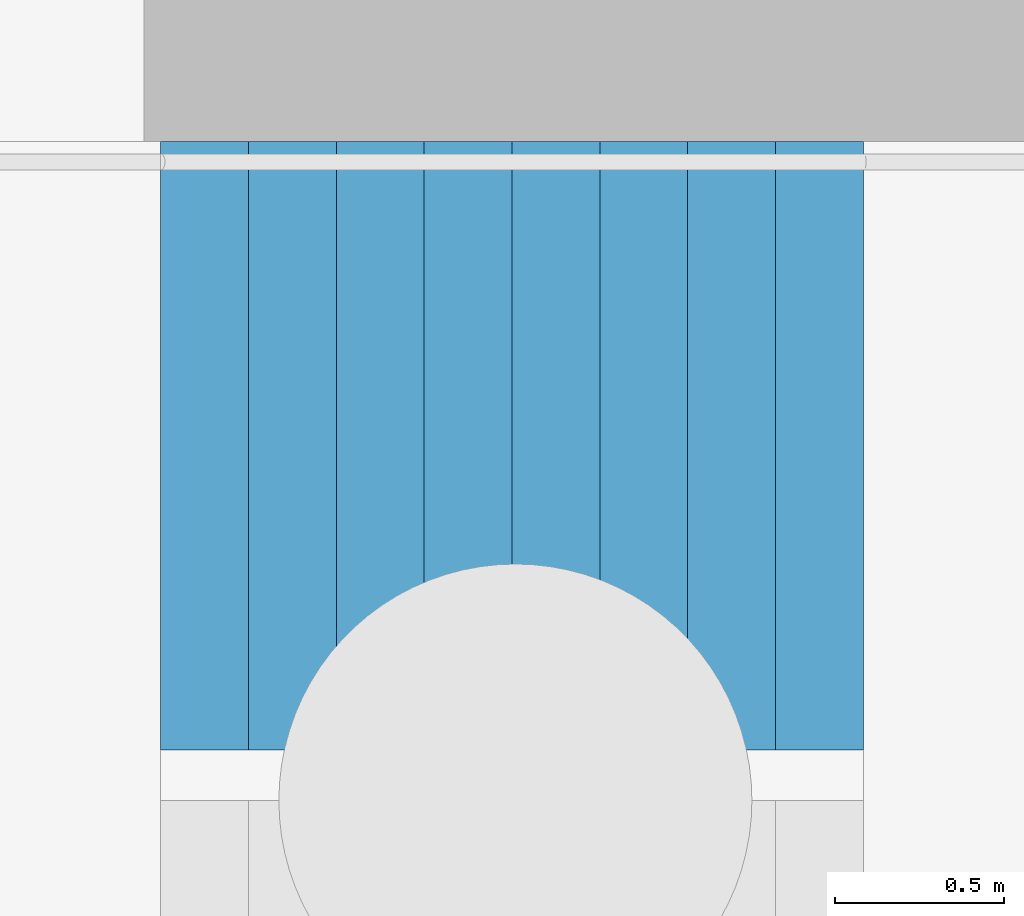
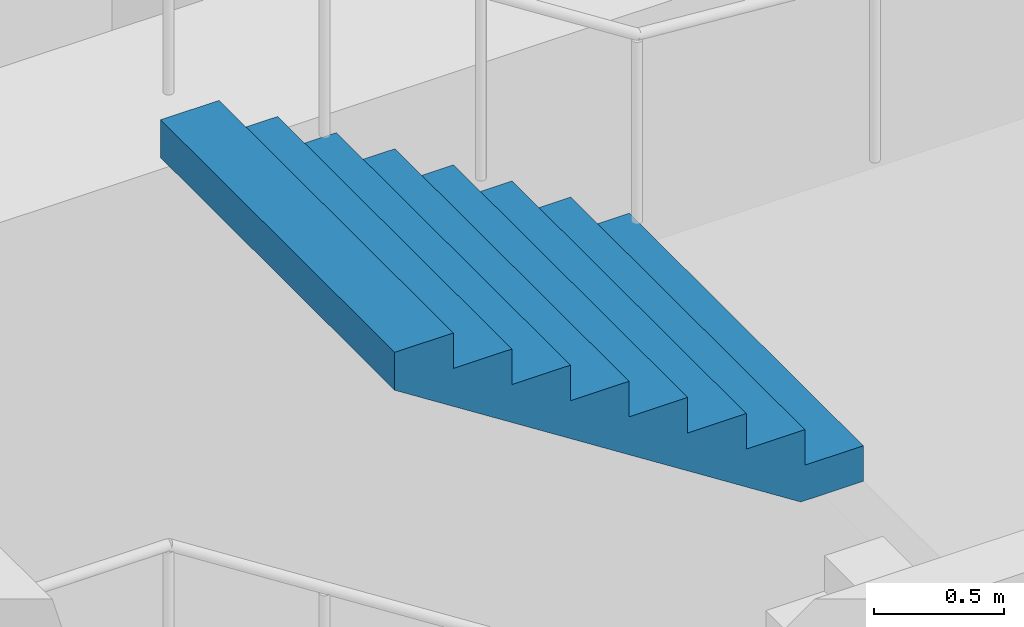
# One storey, part 63 of 113: 1 stair flight, 1 element without a shape of its own.
"""IFC4 building model written with IfcOpenShell, lengths in metres."""

from ifc_helpers import new_model, si_unit, direction, frame, origin, place, context, subcontext, project, spatial, triangles, material, type_object, element, aggregate, save


model = new_model("IFC4")

# Units and contexts
model_context = context("Model", 3, precision=1e-05, world=origin(), true_north=direction((0.0, 1.0)))
body_context = subcontext(model_context, "Body", "Model", "MODEL_VIEW")
ifc_project = project(units=[si_unit("LENGTHUNIT", "METRE"), si_unit("AREAUNIT", "SQUARE_METRE"), si_unit("VOLUMEUNIT", "CUBIC_METRE"), si_unit("PLANEANGLEUNIT", "RADIAN"), si_unit("MASSUNIT", "GRAM", prefix="KILO")], contexts=[model_context])

# Site, building, storey
site_placement = place(None, origin())
site = spatial("IfcSite", under=ifc_project, at=site_placement, CompositionType="ELEMENT")
building_placement = place(site_placement, origin())
building = spatial("IfcBuilding", under=site, at=building_placement, Name="Hakoniwa Tower and Hamabe Station Hall", CompositionType="ELEMENT")
storey_placement = place(building_placement, origin())
storey = spatial("IfcBuildingStorey", under=building, at=storey_placement, Name="L01", CompositionType="ELEMENT", Elevation=0.0)

# Stair, stair flight
ifc_material_1 = material(Name="Concrete C40", Category="concrete")
stair_type = type_object("IfcStairType", Name="ESCAPE STAIR 1800", PredefinedType="HALF_TURN_STAIR", material=ifc_material_1)
stair_placement = place(storey_placement, origin())
stair = element("IfcStair", 1, at=stair_placement, inside=storey, type_object=stair_type, Name="Escape stair ST-1 L01", PredefinedType="HALF_TURN_STAIR")
ifc_material_2 = material(Name="Concrete C40", Category="concrete")
stair_flight_type = type_object("IfcStairFlightType", Name="STAIR FLIGHT 1800", PredefinedType="STRAIGHT", material=ifc_material_2)
stair_flight_placement = place(storey_placement, frame((-22.320068359375, 6.60009765625, 7.5), z_axis=(0.0, 0.0, 1.0), x_axis=(-1.0, 0.0, 0.0)))
stair_flight = element("IfcStairFlight", 2, at=stair_flight_placement, type_object=stair_flight_type, Name="ST-1 flight 6", NumberOfRisers=9, NumberOfTreads=8, PredefinedType="STRAIGHT", RiserHeight=0.166666667, TreadLength=0.26, context=body_context, shape_type="Tessellation", body=[
    triangles([(0.0, 0.89990234375, 0.0), (0.260009765625, 0.89990234375, 0.0), (0.27783203125, 0.89990234375, 0.0), (0.52001953125, 0.89990234375, 0.1552734375), (0.780029296875, 0.89990234375, 0.322021484375), (1.0400390625, 0.89990234375, 0.488525390625), (1.300048828125, 0.89990234375, 0.6552734375), (1.56005859375, 0.89990234375, 0.822021484375), (1.820068359375, 0.89990234375, 0.988525390625), (2.080078125, 0.89990234375, 1.1552734375), (2.080078125, 0.89990234375, 1.333251953125), (1.820068359375, 0.89990234375, 1.333251953125), (1.820068359375, 0.89990234375, 1.166748046875), (1.56005859375, 0.89990234375, 1.166748046875), (1.56005859375, 0.89990234375, 1.0), (1.300048828125, 0.89990234375, 1.0), (1.300048828125, 0.89990234375, 0.833251953125), (1.0400390625, 0.89990234375, 0.833251953125), (1.0400390625, 0.89990234375, 0.666748046875), (0.780029296875, 0.89990234375, 0.666748046875), (0.780029296875, 0.89990234375, 0.5), (0.52001953125, 0.89990234375, 0.5), (0.52001953125, 0.89990234375, 0.333251953125), (0.27783203125, 0.89990234375, 0.333251953125), (0.260009765625, 0.89990234375, 0.333251953125), (0.260009765625, 0.89990234375, 0.166748046875), (0.0, 0.89990234375, 0.166748046875), (0.0, 0.06005859375, 0.0), (0.260009765625, 0.06005859375, 0.0), (0.27783203125, 0.06005859375, 0.0), (0.52001953125, 0.06005859375, 0.1552734375), (0.780029296875, 0.06005859375, 0.322021484375), (1.0400390625, 0.06005859375, 0.488525390625), (1.300048828125, 0.06005859375, 0.6552734375), (1.56005859375, 0.06005859375, 0.822021484375), (1.820068359375, 0.06005859375, 0.988525390625), (2.080078125, 0.06005859375, 1.1552734375), (2.080078125, 0.06005859375, 1.333251953125), (1.820068359375, 0.06005859375, 1.333251953125), (1.820068359375, 0.06005859375, 1.166748046875), (1.56005859375, 0.06005859375, 1.166748046875), (1.56005859375, 0.06005859375, 1.0), (1.300048828125, 0.06005859375, 1.0), (1.300048828125, 0.06005859375, 0.833251953125), (1.0400390625, 0.06005859375, 0.833251953125), (1.0400390625, 0.06005859375, 0.666748046875), (0.780029296875, 0.06005859375, 0.666748046875), (0.780029296875, 0.06005859375, 0.5), (0.52001953125, 0.06005859375, 0.5), (0.52001953125, 0.06005859375, 0.333251953125), (0.27783203125, 0.06005859375, 0.333251953125), (0.260009765625, 0.06005859375, 0.333251953125), (0.260009765625, 0.06005859375, 0.166748046875), (0.0, 0.06005859375, 0.166748046875), (0.0, 0.04296875, 0.0), (0.260009765625, 0.04296875, 0.0), (0.27783203125, 0.04296875, 0.0), (0.52001953125, 0.04296875, 0.1552734375), (0.780029296875, 0.04296875, 0.322021484375), (1.0400390625, 0.04296875, 0.488525390625), (1.300048828125, 0.04296875, 0.6552734375), (1.56005859375, 0.04296875, 0.822021484375), (1.820068359375, 0.04296875, 0.988525390625), (2.080078125, 0.04296875, 1.1552734375), (2.080078125, 0.04296875, 1.333251953125), (1.820068359375, 0.04296875, 1.333251953125), (1.820068359375, 0.04296875, 1.166748046875), (1.56005859375, 0.04296875, 1.166748046875), (1.56005859375, 0.04296875, 1.0), (1.300048828125, 0.04296875, 1.0), (1.300048828125, 0.04296875, 0.833251953125), (1.0400390625, 0.04296875, 0.833251953125), (1.0400390625, 0.04296875, 0.666748046875), (0.780029296875, 0.04296875, 0.666748046875), (0.780029296875, 0.04296875, 0.5), (0.52001953125, 0.04296875, 0.5), (0.52001953125, 0.04296875, 0.333251953125), (0.27783203125, 0.04296875, 0.333251953125), (0.260009765625, 0.04296875, 0.333251953125), (0.260009765625, 0.04296875, 0.166748046875), (0.0, 0.04296875, 0.166748046875), (0.0, 0.025634765625, 0.0), (0.260009765625, 0.025634765625, 0.0), (0.27783203125, 0.025634765625, 0.0), (0.52001953125, 0.025634765625, 0.1552734375), (0.780029296875, 0.025634765625, 0.322021484375), (1.0400390625, 0.025634765625, 0.488525390625), (1.300048828125, 0.025634765625, 0.6552734375), (1.56005859375, 0.025634765625, 0.822021484375), (1.820068359375, 0.025634765625, 0.988525390625), (2.080078125, 0.025634765625, 1.1552734375), (2.080078125, 0.025634765625, 1.333251953125), (1.820068359375, 0.025634765625, 1.333251953125), (1.820068359375, 0.025634765625, 1.166748046875), (1.56005859375, 0.025634765625, 1.166748046875), (1.56005859375, 0.025634765625, 1.0), (1.300048828125, 0.025634765625, 1.0), (1.300048828125, 0.025634765625, 0.833251953125), (1.0400390625, 0.025634765625, 0.833251953125), (1.0400390625, 0.025634765625, 0.666748046875), (0.780029296875, 0.025634765625, 0.666748046875), (0.780029296875, 0.025634765625, 0.5), (0.52001953125, 0.025634765625, 0.5), (0.52001953125, 0.025634765625, 0.333251953125), (0.27783203125, 0.025634765625, 0.333251953125), (0.260009765625, 0.025634765625, 0.333251953125), (0.260009765625, 0.025634765625, 0.166748046875), (0.0, 0.025634765625, 0.166748046875), (0.0, 0.008544921875, 0.0), (0.260009765625, 0.008544921875, 0.0), (0.27783203125, 0.008544921875, 0.0), (0.52001953125, 0.008544921875, 0.1552734375), (0.780029296875, 0.008544921875, 0.322021484375), (1.0400390625, 0.008544921875, 0.488525390625), (1.300048828125, 0.008544921875, 0.6552734375), (1.56005859375, 0.008544921875, 0.822021484375), (1.820068359375, 0.008544921875, 0.988525390625), (2.080078125, 0.008544921875, 1.1552734375), (2.080078125, 0.008544921875, 1.333251953125), (1.820068359375, 0.008544921875, 1.333251953125), (1.820068359375, 0.008544921875, 1.166748046875), (1.56005859375, 0.008544921875, 1.166748046875), (1.56005859375, 0.008544921875, 1.0), (1.300048828125, 0.008544921875, 1.0), (1.300048828125, 0.008544921875, 0.833251953125), (1.0400390625, 0.008544921875, 0.833251953125), (1.0400390625, 0.008544921875, 0.666748046875), (0.780029296875, 0.008544921875, 0.666748046875), (0.780029296875, 0.008544921875, 0.5), (0.52001953125, 0.008544921875, 0.5), (0.52001953125, 0.008544921875, 0.333251953125), (0.27783203125, 0.008544921875, 0.333251953125), (0.260009765625, 0.008544921875, 0.333251953125), (0.260009765625, 0.008544921875, 0.166748046875), (0.0, 0.008544921875, 0.166748046875), (0.0, -0.008544921875, 0.0), (0.260009765625, -0.008544921875, 0.0), (0.27783203125, -0.008544921875, 0.0), (0.52001953125, -0.008544921875, 0.1552734375), (0.780029296875, -0.008544921875, 0.322021484375), (1.0400390625, -0.008544921875, 0.488525390625), (1.300048828125, -0.008544921875, 0.6552734375), (1.56005859375, -0.008544921875, 0.822021484375), (1.820068359375, -0.008544921875, 0.988525390625), (2.080078125, -0.008544921875, 1.1552734375), (2.080078125, -0.008544921875, 1.333251953125), (1.820068359375, -0.008544921875, 1.333251953125), (1.820068359375, -0.008544921875, 1.166748046875), (1.56005859375, -0.008544921875, 1.166748046875), (1.56005859375, -0.008544921875, 1.0), (1.300048828125, -0.008544921875, 1.0), (1.300048828125, -0.008544921875, 0.833251953125), (1.0400390625, -0.008544921875, 0.833251953125), (1.0400390625, -0.008544921875, 0.666748046875), (0.780029296875, -0.008544921875, 0.666748046875), (0.780029296875, -0.008544921875, 0.5), (0.52001953125, -0.008544921875, 0.5), (0.52001953125, -0.008544921875, 0.333251953125), (0.27783203125, -0.008544921875, 0.333251953125), (0.260009765625, -0.008544921875, 0.333251953125), (0.260009765625, -0.008544921875, 0.166748046875), (0.0, -0.008544921875, 0.166748046875), (0.0, -0.025634765625, 0.0), (0.260009765625, -0.025634765625, 0.0), (0.27783203125, -0.025634765625, 0.0), (0.52001953125, -0.025634765625, 0.1552734375), (0.780029296875, -0.025634765625, 0.322021484375), (1.0400390625, -0.025634765625, 0.488525390625), (1.300048828125, -0.025634765625, 0.6552734375), (1.56005859375, -0.025634765625, 0.822021484375), (1.820068359375, -0.025634765625, 0.988525390625), (2.080078125, -0.025634765625, 1.1552734375), (2.080078125, -0.025634765625, 1.333251953125), (1.820068359375, -0.025634765625, 1.333251953125), (1.820068359375, -0.025634765625, 1.166748046875), (1.56005859375, -0.025634765625, 1.166748046875), (1.56005859375, -0.025634765625, 1.0), (1.300048828125, -0.025634765625, 1.0), (1.300048828125, -0.025634765625, 0.833251953125), (1.0400390625, -0.025634765625, 0.833251953125), (1.0400390625, -0.025634765625, 0.666748046875), (0.780029296875, -0.025634765625, 0.666748046875), (0.780029296875, -0.025634765625, 0.5), (0.52001953125, -0.025634765625, 0.5), (0.52001953125, -0.025634765625, 0.333251953125), (0.27783203125, -0.025634765625, 0.333251953125), (0.260009765625, -0.025634765625, 0.333251953125), (0.260009765625, -0.025634765625, 0.166748046875), (0.0, -0.025634765625, 0.166748046875), (0.0, -0.04296875, 0.0), (0.260009765625, -0.04296875, 0.0), (0.27783203125, -0.04296875, 0.0), (0.52001953125, -0.04296875, 0.1552734375), (0.780029296875, -0.04296875, 0.322021484375), (1.0400390625, -0.04296875, 0.488525390625), (1.300048828125, -0.04296875, 0.6552734375), (1.56005859375, -0.04296875, 0.822021484375), (1.820068359375, -0.04296875, 0.988525390625), (2.080078125, -0.04296875, 1.1552734375), (2.080078125, -0.04296875, 1.333251953125), (1.820068359375, -0.04296875, 1.333251953125), (1.820068359375, -0.04296875, 1.166748046875), (1.56005859375, -0.04296875, 1.166748046875), (1.56005859375, -0.04296875, 1.0), (1.300048828125, -0.04296875, 1.0), (1.300048828125, -0.04296875, 0.833251953125), (1.0400390625, -0.04296875, 0.833251953125), (1.0400390625, -0.04296875, 0.666748046875), (0.780029296875, -0.04296875, 0.666748046875), (0.780029296875, -0.04296875, 0.5), (0.52001953125, -0.04296875, 0.5), (0.52001953125, -0.04296875, 0.333251953125), (0.27783203125, -0.04296875, 0.333251953125), (0.260009765625, -0.04296875, 0.333251953125), (0.260009765625, -0.04296875, 0.166748046875), (0.0, -0.04296875, 0.166748046875), (0.0, -0.06005859375, 0.0), (0.260009765625, -0.06005859375, 0.0), (0.27783203125, -0.06005859375, 0.0), (0.52001953125, -0.06005859375, 0.1552734375), (0.780029296875, -0.06005859375, 0.322021484375), (1.0400390625, -0.06005859375, 0.488525390625), (1.300048828125, -0.06005859375, 0.6552734375), (1.56005859375, -0.06005859375, 0.822021484375), (1.820068359375, -0.06005859375, 0.988525390625), (2.080078125, -0.06005859375, 1.1552734375), (2.080078125, -0.06005859375, 1.333251953125), (1.820068359375, -0.06005859375, 1.333251953125), (1.820068359375, -0.06005859375, 1.166748046875), (1.56005859375, -0.06005859375, 1.166748046875), (1.56005859375, -0.06005859375, 1.0), (1.300048828125, -0.06005859375, 1.0), (1.300048828125, -0.06005859375, 0.833251953125), (1.0400390625, -0.06005859375, 0.833251953125), (1.0400390625, -0.06005859375, 0.666748046875), (0.780029296875, -0.06005859375, 0.666748046875), (0.780029296875, -0.06005859375, 0.5), (0.52001953125, -0.06005859375, 0.5), (0.52001953125, -0.06005859375, 0.333251953125), (0.27783203125, -0.06005859375, 0.333251953125), (0.260009765625, -0.06005859375, 0.333251953125), (0.260009765625, -0.06005859375, 0.166748046875), (0.0, -0.06005859375, 0.166748046875), (0.0, -0.89990234375, 0.0), (0.260009765625, -0.89990234375, 0.0), (0.27783203125, -0.89990234375, 0.0), (0.52001953125, -0.89990234375, 0.1552734375), (0.780029296875, -0.89990234375, 0.322021484375), (1.0400390625, -0.89990234375, 0.488525390625), (1.300048828125, -0.89990234375, 0.6552734375), (1.56005859375, -0.89990234375, 0.822021484375), (1.820068359375, -0.89990234375, 0.988525390625), (2.080078125, -0.89990234375, 1.1552734375), (2.080078125, -0.89990234375, 1.333251953125), (1.820068359375, -0.89990234375, 1.333251953125), (1.820068359375, -0.89990234375, 1.166748046875), (1.56005859375, -0.89990234375, 1.166748046875), (1.56005859375, -0.89990234375, 1.0), (1.300048828125, -0.89990234375, 1.0), (1.300048828125, -0.89990234375, 0.833251953125), (1.0400390625, -0.89990234375, 0.833251953125), (1.0400390625, -0.89990234375, 0.666748046875), (0.780029296875, -0.89990234375, 0.666748046875), (0.780029296875, -0.89990234375, 0.5), (0.52001953125, -0.89990234375, 0.5), (0.52001953125, -0.89990234375, 0.333251953125), (0.27783203125, -0.89990234375, 0.333251953125), (0.260009765625, -0.89990234375, 0.333251953125), (0.260009765625, -0.89990234375, 0.166748046875), (0.0, -0.89990234375, 0.166748046875)], [[2, 27, 26], [245, 269, 270], [2, 1, 27], [245, 270, 244], [3, 25, 24], [246, 267, 268], [3, 26, 25], [246, 268, 269], [3, 2, 26], [246, 269, 245], [4, 24, 23], [247, 266, 267], [4, 3, 24], [247, 267, 246], [5, 22, 21], [248, 264, 265], [5, 23, 22], [248, 265, 266], [5, 4, 23], [248, 266, 247], [6, 20, 19], [249, 262, 263], [6, 21, 20], [249, 263, 264], [6, 5, 21], [249, 264, 248], [7, 18, 17], [250, 260, 261], [7, 19, 18], [250, 261, 262], [7, 6, 19], [250, 262, 249], [8, 16, 15], [251, 258, 259], [8, 17, 16], [251, 259, 260], [8, 7, 17], [251, 260, 250], [9, 14, 13], [252, 256, 257], [9, 15, 14], [252, 257, 258], [9, 8, 15], [252, 258, 251], [10, 12, 11], [253, 254, 255], [10, 13, 12], [253, 255, 256], [10, 9, 13], [253, 256, 252], [1, 2, 29], [1, 29, 28], [28, 29, 56], [28, 56, 55], [55, 56, 83], [55, 83, 82], [82, 83, 110], [82, 110, 109], [109, 110, 137], [109, 137, 136], [136, 137, 164], [136, 164, 163], [163, 164, 191], [163, 191, 190], [190, 191, 218], [190, 218, 217], [217, 218, 245], [217, 245, 244], [2, 3, 30], [2, 30, 29], [29, 30, 57], [29, 57, 56], [56, 57, 84], [56, 84, 83], [83, 84, 111], [83, 111, 110], [110, 111, 138], [110, 138, 137], [137, 138, 165], [137, 165, 164], [164, 165, 192], [164, 192, 191], [191, 192, 219], [191, 219, 218], [218, 219, 246], [218, 246, 245], [3, 4, 31], [3, 31, 30], [30, 31, 58], [30, 58, 57], [57, 58, 85], [57, 85, 84], [84, 85, 112], [84, 112, 111], [111, 112, 139], [111, 139, 138], [138, 139, 166], [138, 166, 165], [165, 166, 193], [165, 193, 192], [192, 193, 220], [192, 220, 219], [219, 220, 247], [219, 247, 246], [4, 5, 32], [4, 32, 31], [31, 32, 59], [31, 59, 58], [58, 59, 86], [58, 86, 85], [85, 86, 113], [85, 113, 112], [112, 113, 140], [112, 140, 139], [139, 140, 167], [139, 167, 166], [166, 167, 194], [166, 194, 193], [193, 194, 221], [193, 221, 220], [220, 221, 248], [220, 248, 247], [5, 6, 33], [5, 33, 32], [32, 33, 60], [32, 60, 59], [59, 60, 87], [59, 87, 86], [86, 87, 114], [86, 114, 113], [113, 114, 141], [113, 141, 140], [140, 141, 168], [140, 168, 167], [167, 168, 195], [167, 195, 194], [194, 195, 222], [194, 222, 221], [221, 222, 249], [221, 249, 248], [6, 7, 34], [6, 34, 33], [33, 34, 61], [33, 61, 60], [60, 61, 88], [60, 88, 87], [87, 88, 115], [87, 115, 114], [114, 115, 142], [114, 142, 141], [141, 142, 169], [141, 169, 168], [168, 169, 196], [168, 196, 195], [195, 196, 223], [195, 223, 222], [222, 223, 250], [222, 250, 249], [7, 8, 35], [7, 35, 34], [34, 35, 62], [34, 62, 61], [61, 62, 89], [61, 89, 88], [88, 89, 116], [88, 116, 115], [115, 116, 143], [115, 143, 142], [142, 143, 170], [142, 170, 169], [169, 170, 197], [169, 197, 196], [196, 197, 224], [196, 224, 223], [223, 224, 251], [223, 251, 250], [8, 9, 36], [8, 36, 35], [35, 36, 63], [35, 63, 62], [62, 63, 90], [62, 90, 89], [89, 90, 117], [89, 117, 116], [116, 117, 144], [116, 144, 143], [143, 144, 171], [143, 171, 170], [170, 171, 198], [170, 198, 197], [197, 198, 225], [197, 225, 224], [224, 225, 252], [224, 252, 251], [9, 10, 37], [9, 37, 36], [36, 37, 64], [36, 64, 63], [63, 64, 91], [63, 91, 90], [90, 91, 118], [90, 118, 117], [117, 118, 145], [117, 145, 144], [144, 145, 172], [144, 172, 171], [171, 172, 199], [171, 199, 198], [198, 199, 226], [198, 226, 225], [225, 226, 253], [225, 253, 252], [10, 11, 38], [10, 38, 37], [37, 38, 65], [37, 65, 64], [64, 65, 92], [64, 92, 91], [91, 92, 119], [91, 119, 118], [118, 119, 146], [118, 146, 145], [145, 146, 173], [145, 173, 172], [172, 173, 200], [172, 200, 199], [199, 200, 227], [199, 227, 226], [226, 227, 254], [226, 254, 253], [11, 12, 39], [11, 39, 38], [38, 39, 66], [38, 66, 65], [65, 66, 93], [65, 93, 92], [92, 93, 120], [92, 120, 119], [119, 120, 147], [119, 147, 146], [146, 147, 174], [146, 174, 173], [173, 174, 201], [173, 201, 200], [200, 201, 228], [200, 228, 227], [227, 228, 255], [227, 255, 254], [12, 13, 40], [12, 40, 39], [39, 40, 67], [39, 67, 66], [66, 67, 94], [66, 94, 93], [93, 94, 121], [93, 121, 120], [120, 121, 148], [120, 148, 147], [147, 148, 175], [147, 175, 174], [174, 175, 202], [174, 202, 201], [201, 202, 229], [201, 229, 228], [228, 229, 256], [228, 256, 255], [13, 14, 41], [13, 41, 40], [40, 41, 68], [40, 68, 67], [67, 68, 95], [67, 95, 94], [94, 95, 122], [94, 122, 121], [121, 122, 149], [121, 149, 148], [148, 149, 176], [148, 176, 175], [175, 176, 203], [175, 203, 202], [202, 203, 230], [202, 230, 229], [229, 230, 257], [229, 257, 256], [14, 15, 42], [14, 42, 41], [41, 42, 69], [41, 69, 68], [68, 69, 96], [68, 96, 95], [95, 96, 123], [95, 123, 122], [122, 123, 150], [122, 150, 149], [149, 150, 177], [149, 177, 176], [176, 177, 204], [176, 204, 203], [203, 204, 231], [203, 231, 230], [230, 231, 258], [230, 258, 257], [15, 16, 43], [15, 43, 42], [42, 43, 70], [42, 70, 69], [69, 70, 97], [69, 97, 96], [96, 97, 124], [96, 124, 123], [123, 124, 151], [123, 151, 150], [150, 151, 178], [150, 178, 177], [177, 178, 205], [177, 205, 204], [204, 205, 232], [204, 232, 231], [231, 232, 259], [231, 259, 258], [16, 17, 44], [16, 44, 43], [43, 44, 71], [43, 71, 70], [70, 71, 98], [70, 98, 97], [97, 98, 125], [97, 125, 124], [124, 125, 152], [124, 152, 151], [151, 152, 179], [151, 179, 178], [178, 179, 206], [178, 206, 205], [205, 206, 233], [205, 233, 232], [232, 233, 260], [232, 260, 259], [17, 18, 45], [17, 45, 44], [44, 45, 72], [44, 72, 71], [71, 72, 99], [71, 99, 98], [98, 99, 126], [98, 126, 125], [125, 126, 153], [125, 153, 152], [152, 153, 180], [152, 180, 179], [179, 180, 207], [179, 207, 206], [206, 207, 234], [206, 234, 233], [233, 234, 261], [233, 261, 260], [18, 19, 46], [18, 46, 45], [45, 46, 73], [45, 73, 72], [72, 73, 100], [72, 100, 99], [99, 100, 127], [99, 127, 126], [126, 127, 154], [126, 154, 153], [153, 154, 181], [153, 181, 180], [180, 181, 208], [180, 208, 207], [207, 208, 235], [207, 235, 234], [234, 235, 262], [234, 262, 261], [19, 20, 47], [19, 47, 46], [46, 47, 74], [46, 74, 73], [73, 74, 101], [73, 101, 100], [100, 101, 128], [100, 128, 127], [127, 128, 155], [127, 155, 154], [154, 155, 182], [154, 182, 181], [181, 182, 209], [181, 209, 208], [208, 209, 236], [208, 236, 235], [235, 236, 263], [235, 263, 262], [20, 21, 48], [20, 48, 47], [47, 48, 75], [47, 75, 74], [74, 75, 102], [74, 102, 101], [101, 102, 129], [101, 129, 128], [128, 129, 156], [128, 156, 155], [155, 156, 183], [155, 183, 182], [182, 183, 210], [182, 210, 209], [209, 210, 237], [209, 237, 236], [236, 237, 264], [236, 264, 263], [21, 22, 49], [21, 49, 48], [48, 49, 76], [48, 76, 75], [75, 76, 103], [75, 103, 102], [102, 103, 130], [102, 130, 129], [129, 130, 157], [129, 157, 156], [156, 157, 184], [156, 184, 183], [183, 184, 211], [183, 211, 210], [210, 211, 238], [210, 238, 237], [237, 238, 265], [237, 265, 264], [22, 23, 50], [22, 50, 49], [49, 50, 77], [49, 77, 76], [76, 77, 104], [76, 104, 103], [103, 104, 131], [103, 131, 130], [130, 131, 158], [130, 158, 157], [157, 158, 185], [157, 185, 184], [184, 185, 212], [184, 212, 211], [211, 212, 239], [211, 239, 238], [238, 239, 266], [238, 266, 265], [23, 24, 51], [23, 51, 50], [50, 51, 78], [50, 78, 77], [77, 78, 105], [77, 105, 104], [104, 105, 132], [104, 132, 131], [131, 132, 159], [131, 159, 158], [158, 159, 186], [158, 186, 185], [185, 186, 213], [185, 213, 212], [212, 213, 240], [212, 240, 239], [239, 240, 267], [239, 267, 266], [24, 25, 52], [24, 52, 51], [51, 52, 79], [51, 79, 78], [78, 79, 106], [78, 106, 105], [105, 106, 133], [105, 133, 132], [132, 133, 160], [132, 160, 159], [159, 160, 187], [159, 187, 186], [186, 187, 214], [186, 214, 213], [213, 214, 241], [213, 241, 240], [240, 241, 268], [240, 268, 267], [25, 26, 53], [25, 53, 52], [52, 53, 80], [52, 80, 79], [79, 80, 107], [79, 107, 106], [106, 107, 134], [106, 134, 133], [133, 134, 161], [133, 161, 160], [160, 161, 188], [160, 188, 187], [187, 188, 215], [187, 215, 214], [214, 215, 242], [214, 242, 241], [241, 242, 269], [241, 269, 268], [26, 27, 54], [26, 54, 53], [53, 54, 81], [53, 81, 80], [80, 81, 108], [80, 108, 107], [107, 108, 135], [107, 135, 134], [134, 135, 162], [134, 162, 161], [161, 162, 189], [161, 189, 188], [188, 189, 216], [188, 216, 215], [215, 216, 243], [215, 243, 242], [242, 243, 270], [242, 270, 269], [27, 1, 28], [27, 28, 54], [54, 28, 55], [54, 55, 81], [81, 55, 82], [81, 82, 108], [108, 82, 109], [108, 109, 135], [135, 109, 136], [135, 136, 162], [162, 136, 163], [162, 163, 189], [189, 163, 190], [189, 190, 216], [216, 190, 217], [216, 217, 243], [243, 217, 244], [243, 244, 270]], closed=True),
])
aggregate(stair, [stair_flight])

save(model, "model.ifc")
